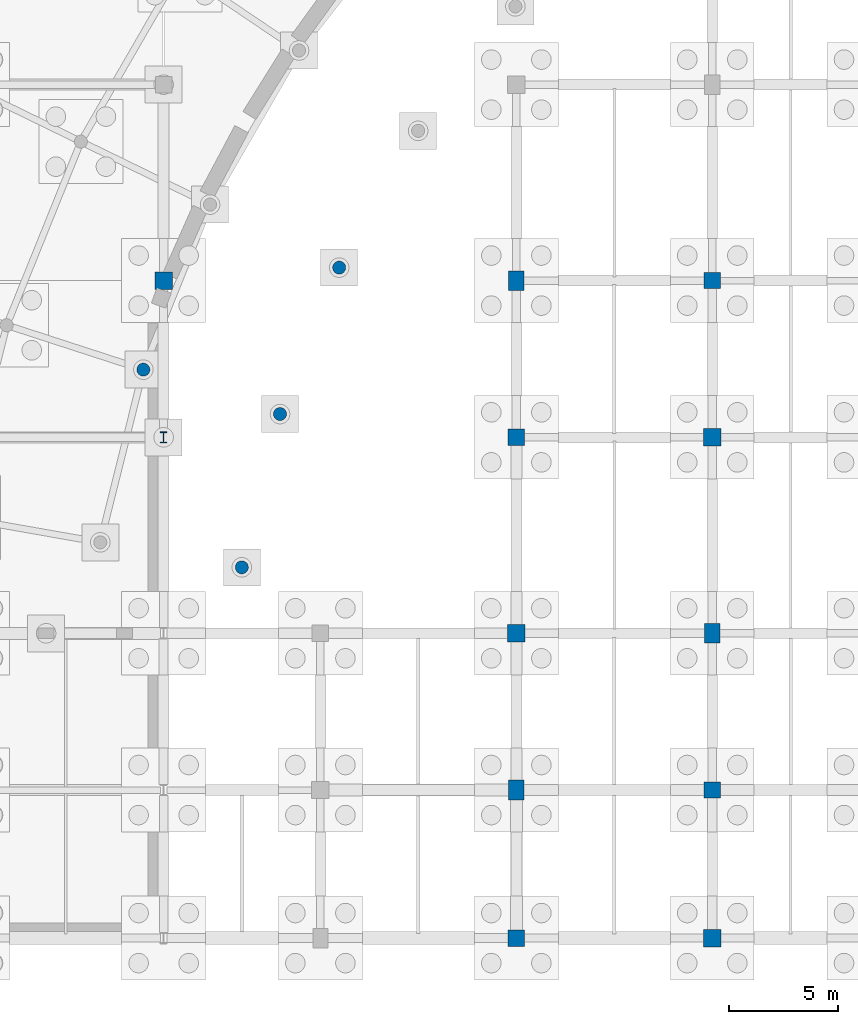
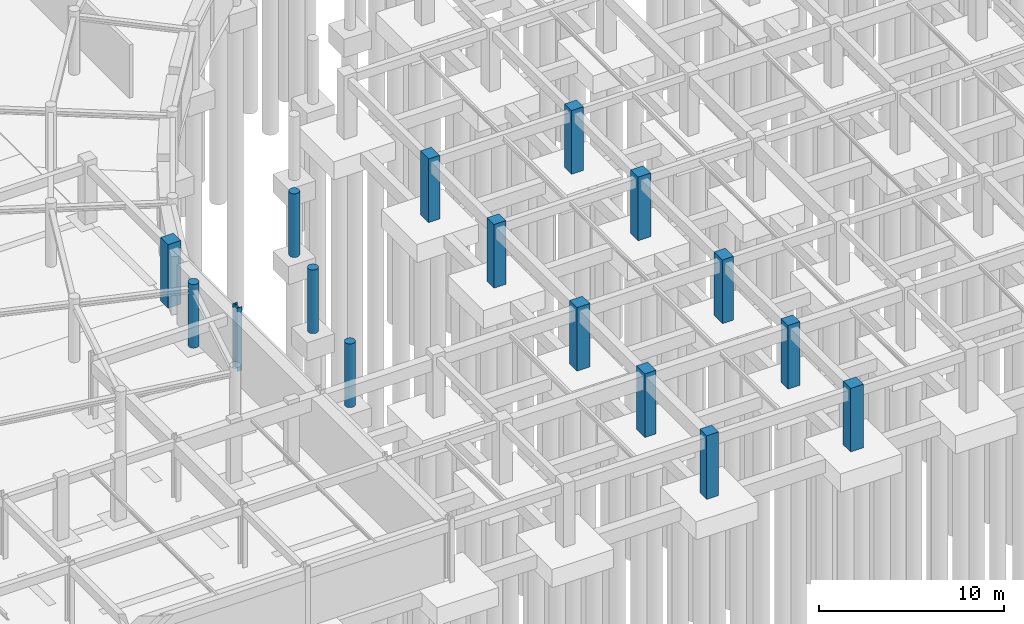
# One storey, part 14 of 42: 16 columns.
"""IFC4 building model written with IfcOpenShell, lengths in metres."""

from ifc_helpers import new_model, si_unit, direction, frame, origin, origin_2d, place, context, subcontext, project, spatial, rectangle, circle, i_section, extrude, material, material_profile, profile_set, type_object, element, save


model = new_model("IFC4")

# Units and contexts
model_context = context("Model", 3, precision=1e-05, world=origin(), true_north=direction((0.0, 1.0)))
body_context = subcontext(model_context, "Body", "Model", "MODEL_VIEW")
ifc_project = project(units=[si_unit("LENGTHUNIT", "METRE"), si_unit("AREAUNIT", "SQUARE_METRE"), si_unit("VOLUMEUNIT", "CUBIC_METRE"), si_unit("PLANEANGLEUNIT", "RADIAN"), si_unit("MASSUNIT", "GRAM", prefix="KILO")], contexts=[model_context])

# Site, building, storey
site_placement = place(None, origin())
site = spatial("IfcSite", under=ifc_project, at=site_placement, CompositionType="ELEMENT")
building_placement = place(site_placement, origin())
building = spatial("IfcBuilding", under=site, at=building_placement, Name="Clarverna Civic Hall", CompositionType="ELEMENT")
storey_placement = place(building_placement, frame((0.0, 0.0, -4.199951171875)))
storey = spatial("IfcBuildingStorey", under=building, at=storey_placement, Name="B01", CompositionType="ELEMENT", Elevation=-4.199951171875)

# Columns
ifc_material_1 = material(Name="Concrete C35/45", Category="concrete")
ifc_material_profile_1 = material_profile(ifc_material_1, circle(Radius=0.300048828125, at=origin_2d()), Name="RC D600")
ifc_profile_set_1 = profile_set([ifc_material_profile_1], Name="Concrete C35/45")
column_type_1 = type_object("IfcColumnType", Name="C-CV1", PredefinedType="COLUMN", material=ifc_profile_set_1)
for number, where, z_axis, x_axis, name in (
    (1, (96.26806640625, 26.1083984375, 0.0), (0.0, 0.0, 1.0), (1.0, 0.0, 0.0), "C-CV1-055"),
    (2, (105.2626953125, 30.79541015625, 0.0), (0.0, 0.0, 1.0), (1.0, 0.0, 0.0), "C-CV1-073"),
    (3, (102.545166015625, 24.06884765625, 0.0), (0.0, 0.0, 1.0), (1.0, 0.0, 0.0), "C-CV1-075"),
    (4, (100.7900390625, 17.02978515625, 0.0), (0.0, 0.0, 1.0), (1.0, 0.0, 0.0), "C-CV1-077"),
):
    element("IfcColumn", number, at=place(storey_placement, frame(where, z_axis=z_axis, x_axis=x_axis)), inside=storey, type_object=column_type_1, Name=name, PredefinedType="COLUMN", context=body_context, shape_type="SweptSolid", body=[
        extrude(circle(Radius=0.300048828125, at=origin_2d()), origin(), (0.0, 0.0, 1.0), 4.199951171875),
    ])
ifc_material_2 = material(Name="Concrete C40/50", Category="concrete")
ifc_material_profile_2 = material_profile(ifc_material_2, rectangle(XDim=0.800048828125, YDim=0.800048828125, at=origin_2d()), Name="RC 800x800")
ifc_profile_set_2 = profile_set([ifc_material_profile_2], Name="Concrete C40/50")
column_type_2 = type_object("IfcColumnType", Name="C-RC4", PredefinedType="COLUMN", material=ifc_profile_set_2)
for number, where, z_axis, x_axis, name in (
    (5, (97.199951171875, 30.199951171875, 0.0), (0.0, 0.0, 1.0), (1.0, 0.0, 0.0), "C-RC4-044"),
    (6, (113.39990234375, 14.0, 0.0), (0.0, 0.0, 1.0), (1.0, 0.0, 0.0), "C-RC4-050"),
    (7, (122.39990234375, 0.0, 0.0), (0.0, 0.0, 1.0), (1.0, 0.0, 0.0), "C-RC4-055"),
    (8, (122.39990234375, 23.0, 0.0), (0.0, 0.0, 1.0), (1.0, 0.0, 0.0), "C-RC4-056"),
):
    element("IfcColumn", number, at=place(storey_placement, frame(where, z_axis=z_axis, x_axis=x_axis)), inside=storey, type_object=column_type_2, Name=name, PredefinedType="COLUMN", context=body_context, shape_type="SweptSolid", body=[
        extrude(rectangle(XDim=0.800048828125, YDim=0.800048828125, at=origin_2d()), origin(), (0.0, 0.0, 1.0), 4.199951171875),
    ])
ifc_material_profile_3 = material_profile(ifc_material_2, rectangle(XDim=0.75, YDim=0.75, at=origin_2d()), Name="RC 750x750")
ifc_profile_set_3 = profile_set([ifc_material_profile_3], Name="Concrete C40/50")
column_type_3 = type_object("IfcColumnType", Name="C-RC5", PredefinedType="COLUMN", material=ifc_profile_set_3)
for number, where, z_axis, x_axis, name in (
    (9, (113.39990234375, 0.0, 0.0), (0.0, 0.0, 1.0), (1.0, 0.0, 0.0), "C-RC5-050"),
    (10, (113.39990234375, 23.0, 0.0), (0.0, 0.0, 1.0), (1.0, 0.0, 0.0), "C-RC5-051"),
    (11, (122.39990234375, 6.800048828125, 0.0), (0.0, 0.0, 1.0), (1.0, 0.0, 0.0), "C-RC5-056"),
    (12, (122.39990234375, 30.199951171875, 0.0), (0.0, 0.0, 1.0), (1.0, 0.0, 0.0), "C-RC5-057"),
):
    element("IfcColumn", number, at=place(storey_placement, frame(where, z_axis=z_axis, x_axis=x_axis)), inside=storey, type_object=column_type_3, Name=name, PredefinedType="COLUMN", context=body_context, shape_type="SweptSolid", body=[
        extrude(rectangle(XDim=0.75, YDim=0.75, at=origin_2d()), origin(), (0.0, 0.0, 1.0), 4.199951171875),
    ])
ifc_material_profile_4 = material_profile(ifc_material_2, rectangle(XDim=0.699951171875, YDim=0.89990234375, at=origin_2d()), Name="RC 700x900")
ifc_profile_set_4 = profile_set([ifc_material_profile_4], Name="Concrete C40/50")
column_type_4 = type_object("IfcColumnType", Name="C-RC6", PredefinedType="COLUMN", material=ifc_profile_set_4)
for number, where, z_axis, x_axis, name in (
    (13, (113.39990234375, 6.800048828125, 0.0), (0.0, 0.0, 1.0), (1.0, 0.0, 0.0), "C-RC6-083"),
    (14, (113.39990234375, 30.199951171875, 0.0), (0.0, 0.0, 1.0), (1.0, 0.0, 0.0), "C-RC6-084"),
    (15, (122.39990234375, 14.0, 0.0), (0.0, 0.0, 1.0), (1.0, 0.0, 0.0), "C-RC6-086"),
):
    element("IfcColumn", number, at=place(storey_placement, frame(where, z_axis=z_axis, x_axis=x_axis)), inside=storey, type_object=column_type_4, Name=name, PredefinedType="COLUMN", context=body_context, shape_type="SweptSolid", body=[
        extrude(rectangle(XDim=0.699951171875, YDim=0.89990234375, at=origin_2d()), origin(), (0.0, 0.0, 1.0), 4.199951171875),
    ])
ifc_material_3 = material(Name="Steel S355", Category="steel")
ifc_material_profile_5 = material_profile(ifc_material_3, i_section(OverallWidth=0.300048828125, OverallDepth=0.5, WebThickness=0.014404296875, FlangeThickness=0.028076171875, FilletRadius=0.027099609375, at=origin_2d()), Name="HEB 500")
ifc_profile_set_5 = profile_set([ifc_material_profile_5], Name="Steel S355")
column_type_5 = type_object("IfcColumnType", Name="C-ST1", PredefinedType="COLUMN", material=ifc_profile_set_5)
column_placement = place(storey_placement, frame((97.199951171875, 23.0, 0.0), z_axis=(0.0, 0.0, 1.0), x_axis=(1.0, 0.0, 0.0)))
element("IfcColumn", 16, at=column_placement, inside=storey, type_object=column_type_5, Name="C-ST1-015", PredefinedType="COLUMN", context=body_context, shape_type="SweptSolid", body=[
    extrude(i_section(OverallWidth=0.300048828125, OverallDepth=0.5, WebThickness=0.014404296875, FlangeThickness=0.028076171875, FilletRadius=0.027099609375, at=origin_2d()), origin(), (0.0, 0.0, 1.0), 4.199951171875),
])

save(model, "model.ifc")
